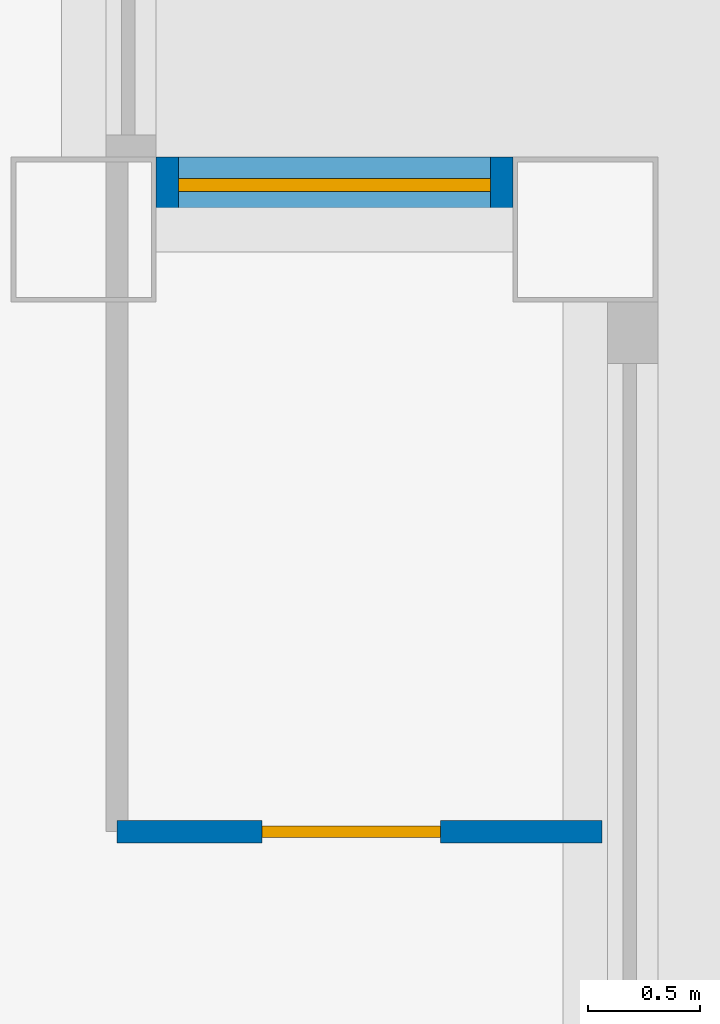
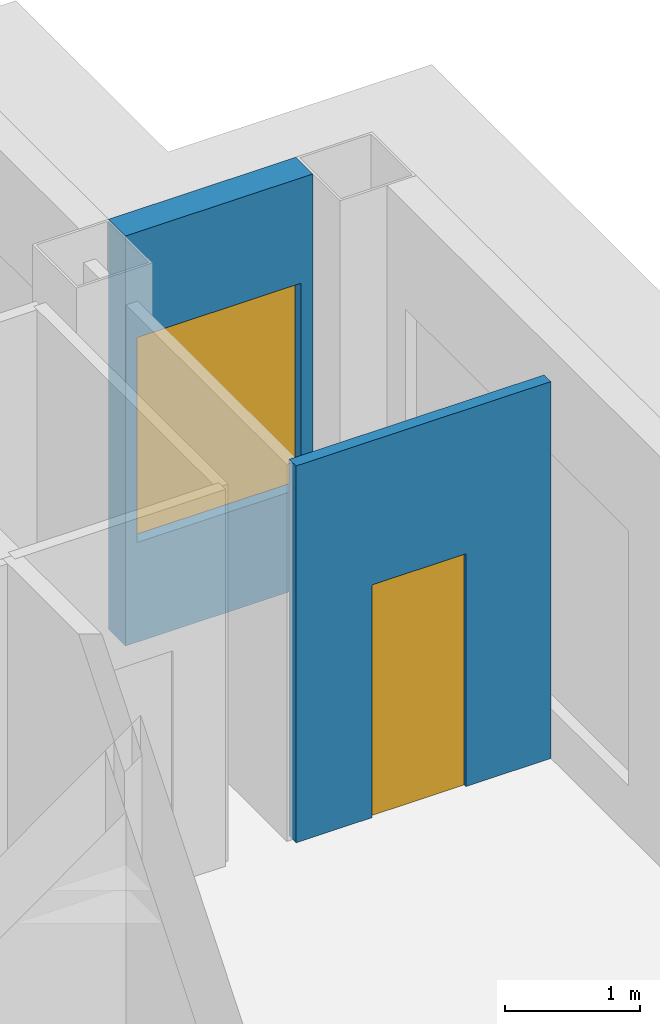
# One storey, part 8 of 12: 2 walls, 1 door, 1 window, 2 openings.
"""IFC4 building model written with IfcOpenShell, lengths in metres."""

from ifc_helpers import new_model, si_unit, direction, frame, frame_2d, origin, place, context, subcontext, project, spatial, rectangle, extrude, material, layer, layer_set, type_object, element, fill, save


model = new_model("IFC4")

# Units and contexts
model_context = context("Model", 3, precision=1e-05, world=origin(), true_north=direction((0.0, 1.0)))
body_context = subcontext(model_context, "Body", "Model", "MODEL_VIEW")
ifc_project = project(units=[si_unit("LENGTHUNIT", "METRE"), si_unit("AREAUNIT", "SQUARE_METRE"), si_unit("VOLUMEUNIT", "CUBIC_METRE"), si_unit("PLANEANGLEUNIT", "RADIAN"), si_unit("MASSUNIT", "GRAM", prefix="KILO")], contexts=[model_context])

# Site, building, storey
site_placement = place(None, origin())
site = spatial("IfcSite", under=ifc_project, at=site_placement, CompositionType="ELEMENT")
building_placement = place(site_placement, origin())
building = spatial("IfcBuilding", under=site, at=building_placement, Name="Caravel Reach Hotel and Residences", CompositionType="ELEMENT")
storey_placement = place(building_placement, frame((0.0, 0.0, 214.60009765625)))
storey = spatial("IfcBuildingStorey", under=building, at=storey_placement, Name="L54", CompositionType="ELEMENT", Elevation=214.60009765625)

# Wall, opening, door
ifc_material_1 = material(Name="Gypsum board on steel stud", Category="steel")
ifc_layer_1 = layer(ifc_material_1, 0.10009765625)
ifc_layer_set_1 = layer_set([ifc_layer_1], Name="Bathroom pod wall 100 mm")
wall_type_1 = type_object("IfcWallType", Name="Bathroom pod wall 100 mm", PredefinedType="PARTITIONING", material=ifc_layer_set_1)
wall_1_placement = place(storey_placement, frame((47.39990234375, 33.300048828125, 0.0), z_axis=(0.0, 0.0, 1.0), x_axis=(1.0, 0.0, 0.0)))
wall_1 = element("IfcWall", 1, at=wall_1_placement, inside=storey, type_object=wall_type_1, Name="L54 wall w083", PredefinedType="PARTITIONING", context=body_context, shape_type="SweptSolid", body=[
    extrude(rectangle(XDim=2.175048828125, YDim=0.10009765625, at=frame_2d((1.08740234375, 0.0))), origin(), (0.0, 0.0, 1.0), 3.39990234375),
])
opening_1_placement = place(wall_1_placement, frame((0.64990234375, 0.0, 0.0)))
opening_1 = element("IfcOpeningElement", 2, at=opening_1_placement, cuts=wall_1, Name="Opening D54-044", PredefinedType="OPENING", context=body_context, shape_type="SweptSolid", body=[
    extrude(rectangle(XDim=0.800048828125, YDim=2.10009765625, at=frame_2d((0.39990234375, 1.050048828125))), frame((0.0, 0.06005859375, 0.0), z_axis=(0.0, -1.0, 0.0), x_axis=(1.0, 0.0, 0.0)), (0.0, 0.0, 1.0), 0.1201171875),
])
ifc_material_2 = material(Name="Timber and steel door leaf", Category="steel")
door_type = type_object("IfcDoorType", Name="Bathroom door 800 x 2100", OperationType="SINGLE_SWING_LEFT", PredefinedType="DOOR", material=ifc_material_2)
door_placement = place(opening_1_placement, origin())
door = element("IfcDoor", 3, at=door_placement, inside=storey, type_object=door_type, Name="door D54-044", OperationType="SINGLE_SWING_RIGHT", OverallHeight=2.10009765625, OverallWidth=0.800048828125, PredefinedType="DOOR", context=body_context, shape_type="SweptSolid", body=[
    extrude(rectangle(XDim=0.800048828125, YDim=2.10009765625, at=frame_2d((0.39990234375, 1.050048828125))), frame((0.0, 0.02490234375, 0.0), z_axis=(0.0, -1.0, 0.0), x_axis=(1.0, 0.0, 0.0)), (0.0, 0.0, 1.0), 0.050048828125),
])
fill(opening_1, door)

# Wall, opening, window
ifc_material_3 = material(Name="Insulated rainscreen wall, aluminium cladding", Category="aluminium")
ifc_layer_2 = layer(ifc_material_3, 0.25)
ifc_layer_set_2 = layer_set([ifc_layer_2], Name="EW1 Tower rainscreen wall")
wall_type_2 = type_object("IfcWallType", Name="EW1 Tower rainscreen wall", PredefinedType="SOLIDWALL", material=ifc_layer_set_2)
wall_2_placement = place(storey_placement, frame((49.175048828125, 36.199951171875, 0.0), z_axis=(0.0, 0.0, 1.0), x_axis=(-1.0, 0.0, 0.0)))
wall_2 = element("IfcWall", 4, at=wall_2_placement, inside=storey, type_object=wall_type_2, Name="External wall L54 N7.1", PredefinedType="SOLIDWALL", context=body_context, shape_type="SweptSolid", body=[
    extrude(rectangle(XDim=1.60009765625, YDim=0.25, at=frame_2d((0.800048828125, 0.0))), origin(), (0.0, 0.0, 1.0), 3.699951171875),
])
opening_2_placement = place(wall_2_placement, frame((0.10009765625, 0.0, 0.89990234375)))
opening_2 = element("IfcOpeningElement", 5, at=opening_2_placement, cuts=wall_2, Name="Opening WN22", PredefinedType="OPENING", context=body_context, shape_type="SweptSolid", body=[
    extrude(rectangle(XDim=1.39990234375, YDim=1.85009765625, at=frame_2d((0.699951171875, 0.925048828125))), frame((0.0, 0.135009765625, 0.0), z_axis=(0.0, -1.0, 0.0), x_axis=(1.0, 0.0, 0.0)), (0.0, 0.0, 1.0), 0.27001953125),
])
ifc_material_4 = material(Name="Dark low-e glazing in black aluminium frame", Category="aluminium")
window_type = type_object("IfcWindowType", Name="Residence bedroom window 1400 x 1850", PartitioningType="SINGLE_PANEL", PredefinedType="WINDOW", material=ifc_material_4)
window_placement = place(opening_2_placement, origin())
window = element("IfcWindow", 6, at=window_placement, inside=storey, type_object=window_type, Name="Window L54 N7.1.1", OverallHeight=1.85009765625, OverallWidth=1.39990234375, PartitioningType="SINGLE_PANEL", PredefinedType="WINDOW", context=body_context, shape_type="SweptSolid", body=[
    extrude(rectangle(XDim=1.39990234375, YDim=1.85009765625, at=frame_2d((0.699951171875, 0.925048828125))), frame((0.0, 0.030029296875, 0.0), z_axis=(0.0, -1.0, 0.0), x_axis=(1.0, 0.0, 0.0)), (0.0, 0.0, 1.0), 0.06005859375),
])
fill(opening_2, window)

save(model, "model.ifc")
